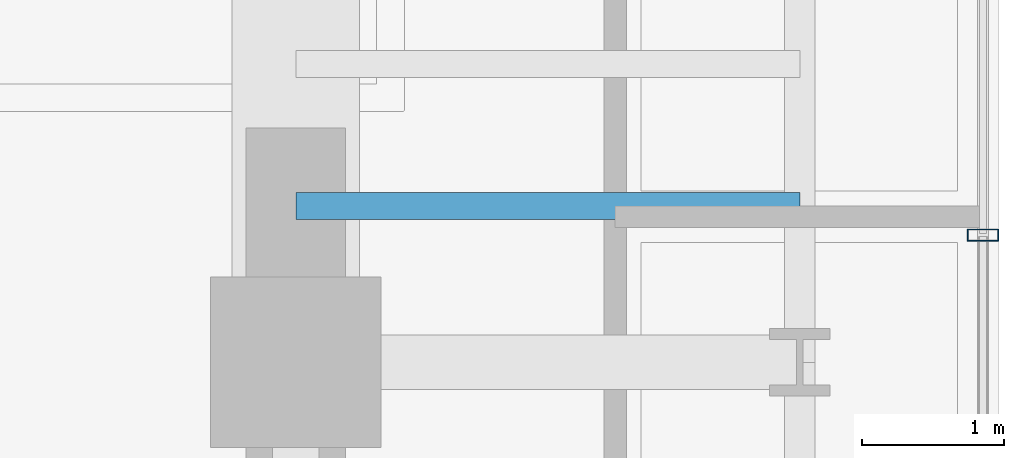
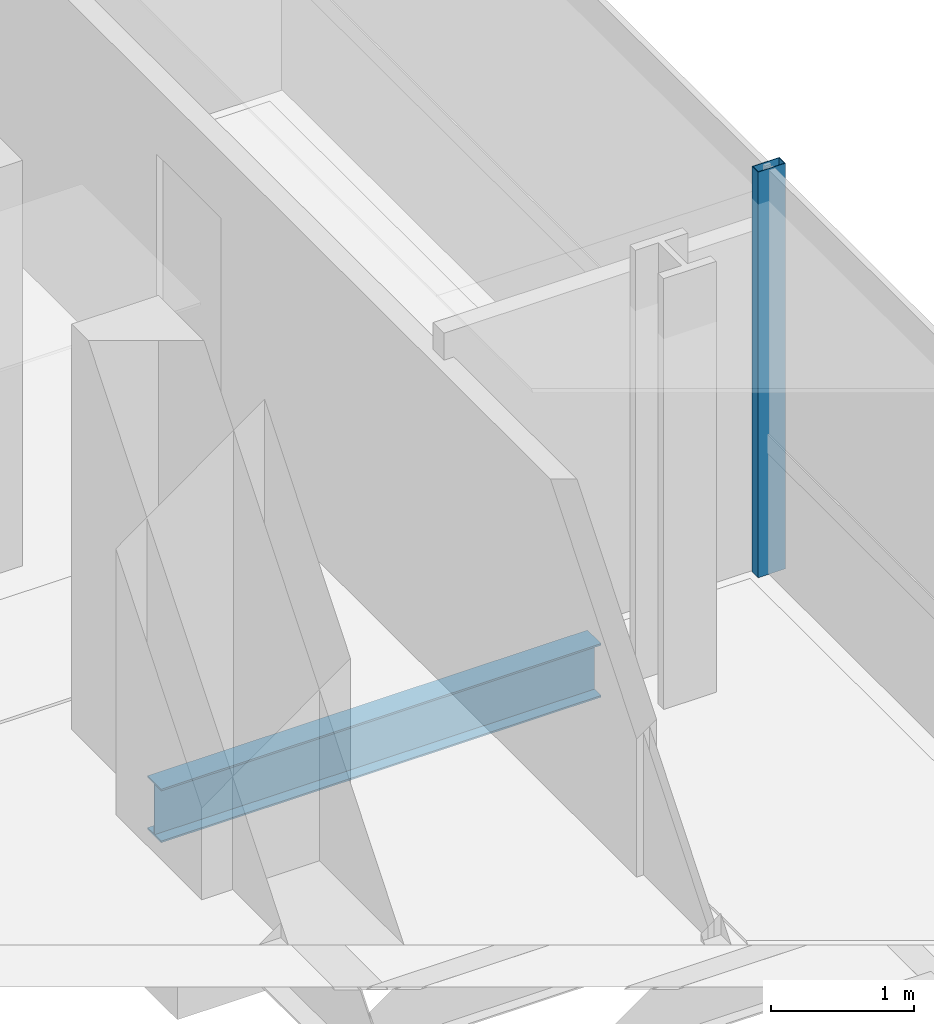
# One storey, part 12 of 35: 1 beam, 1 member, 1 element without a shape of its own.
"""IFC4 building model written with IfcOpenShell, lengths in metres."""

from ifc_helpers import new_model, si_unit, direction, frame, origin, origin_2d, place, context, subcontext, project, spatial, hollow_rectangle, i_section, extrude, source, transform, mapped, material, material_profile, profile_set, type_object, element, aggregate, save


model = new_model("IFC4")

# Units and contexts
model_context = context("Model", 3, precision=1e-05, world=origin(), true_north=direction((0.0, 1.0)))
body_context = subcontext(model_context, "Body", "Model", "MODEL_VIEW")
ifc_project = project(units=[si_unit("LENGTHUNIT", "METRE"), si_unit("AREAUNIT", "SQUARE_METRE"), si_unit("VOLUMEUNIT", "CUBIC_METRE"), si_unit("PLANEANGLEUNIT", "RADIAN"), si_unit("MASSUNIT", "GRAM", prefix="KILO")], contexts=[model_context])

# Site, building, storey
site_placement = place(None, origin())
site = spatial("IfcSite", under=ifc_project, at=site_placement, CompositionType="ELEMENT")
building_placement = place(site_placement, origin())
building = spatial("IfcBuilding", under=site, at=building_placement, Name="Valdorenza Pilgrim Sanctuary Tower", CompositionType="ELEMENT")
storey_placement = place(building_placement, frame((0.0, 0.0, 113.10009765625)))
storey = spatial("IfcBuildingStorey", under=building, at=storey_placement, Name="L28", CompositionType="ELEMENT", Elevation=113.10009765625)

# Beam
ifc_material_1 = material(Name="Steel ASTM A992 Grade 50", Category="steel")
ifc_material_profile_1 = material_profile(ifc_material_1, i_section(OverallWidth=0.19091796875, OverallDepth=0.45703125, WebThickness=0.009033203125, FlangeThickness=0.014404296875, at=origin_2d()), Name="W18X50")
ifc_profile_set_1 = profile_set([ifc_material_profile_1], Name="Steel ASTM A992 Grade 50")
beam_type = type_object("IfcBeamType", Name="STR-BM-JST-W18B", PredefinedType="JOIST", material=ifc_profile_set_1)
shared_shape_1 = source(origin(), body_context, "Body", "SweptSolid", [
    extrude(i_section(OverallWidth=0.19091796875, OverallDepth=0.45703125, WebThickness=0.009033203125, FlangeThickness=0.014404296875, at=origin_2d()), origin(), (0.0, 0.0, 1.0), 3.5498046875),
])
beam_placement = place(storey_placement, frame((24.85009765625, -1.5, -0.468505859375), z_axis=(1.0, 0.0, 0.0), x_axis=(0.0, 1.0, 0.0)))
element("IfcBeam", 1, at=beam_placement, inside=storey, type_object=beam_type, Name="L28 Composite Floor Joist JST-WB-8", PredefinedType="JOIST", context=body_context, shape_type="MappedRepresentation", body=[
    mapped(shared_shape_1, transform((0.0, 0.0, 0.0), x_axis=(1.0, 0.0, 0.0), y_axis=(0.0, 1.0, 0.0), z_axis=(0.0, 0.0, 1.0), scale=1.0)),
])

# Curtain wall, member
ifc_material_2 = material(Name="Curtain-wall IGU glazing", Category="glass")
curtain_wall_type = type_object("IfcCurtainWallType", Name="CW-SYS-03", PredefinedType="NOTDEFINED", material=ifc_material_2)
curtain_wall_placement = place(storey_placement, origin())
curtain_wall = element("IfcCurtainWall", 2, at=curtain_wall_placement, inside=storey, type_object=curtain_wall_type, Name="L28 Curtain Wall CW-L28-1-21", PredefinedType="NOTDEFINED")
ifc_material_3 = material(Name="Anodised aluminium AW-6060", Category="aluminium")
ifc_material_profile_2 = material_profile(ifc_material_3, hollow_rectangle(XDim=0.0849609375, YDim=0.219970703125, WallThickness=0.0048828125, at=origin_2d()), Name="ALU-M 220x85x5")
ifc_profile_set_2 = profile_set([ifc_material_profile_2], Name="Anodised aluminium AW-6060")
member_type = type_object("IfcMemberType", Name="CW-MUL-03", PredefinedType="MULLION", material=ifc_profile_set_2)
shared_shape_2 = source(origin(), body_context, "Body", "SweptSolid", [
    extrude(hollow_rectangle(XDim=0.0849609375, YDim=0.219970703125, WallThickness=0.0048828125, at=origin_2d()), origin(), (0.0, 0.0, 1.0), 3.4599609375),
])
member_placement = place(storey_placement, frame((29.68994140625, -1.7041015625, 0.0), z_axis=(0.0, 0.0, 1.0), x_axis=(0.0, -1.0, 0.0)))
member = element("IfcMember", 3, at=member_placement, type_object=member_type, Name="CW-L28-1-21 Mullion 3", PredefinedType="MULLION", context=body_context, shape_type="MappedRepresentation", body=[
    mapped(shared_shape_2, transform((0.0, 0.0, 0.0), x_axis=(1.0, 0.0, 0.0), y_axis=(0.0, 1.0, 0.0), z_axis=(0.0, 0.0, 1.0), scale=1.0)),
])
aggregate(curtain_wall, [member])

save(model, "model.ifc")
